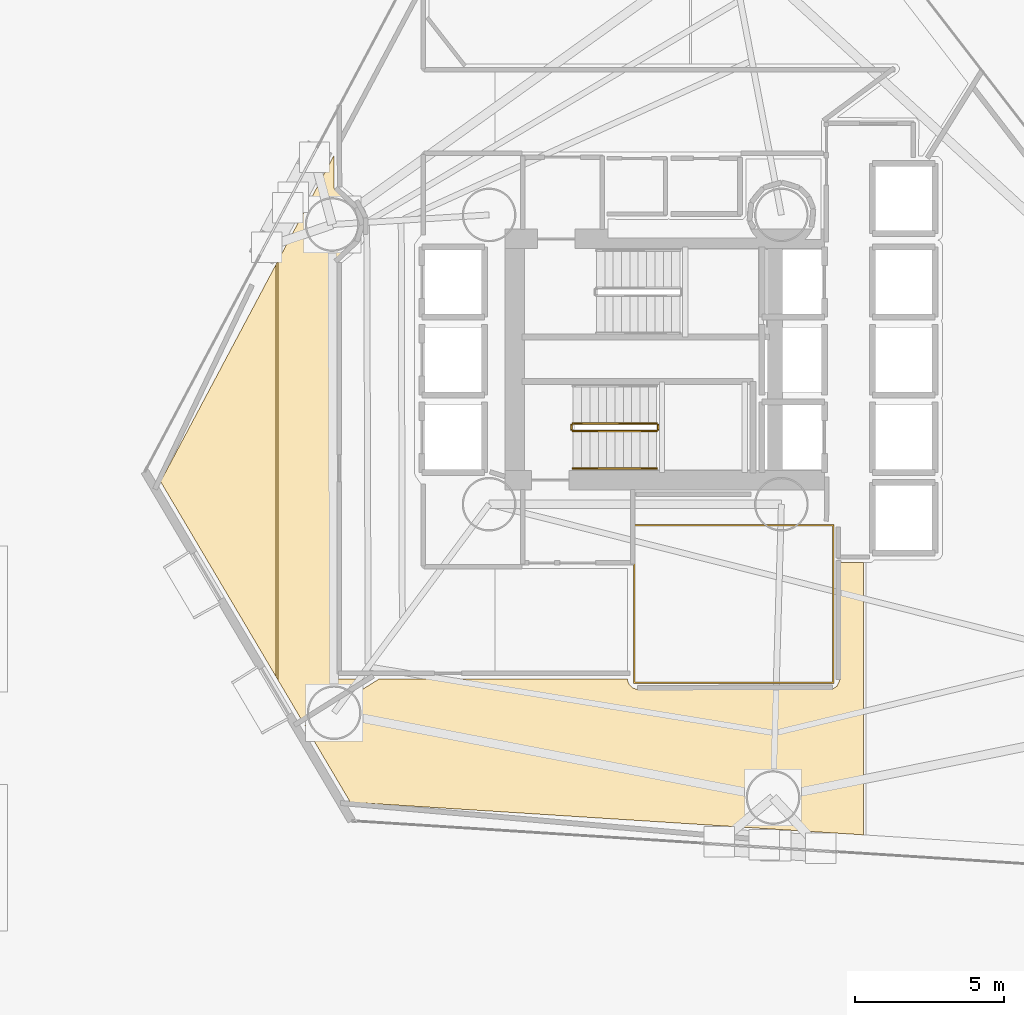
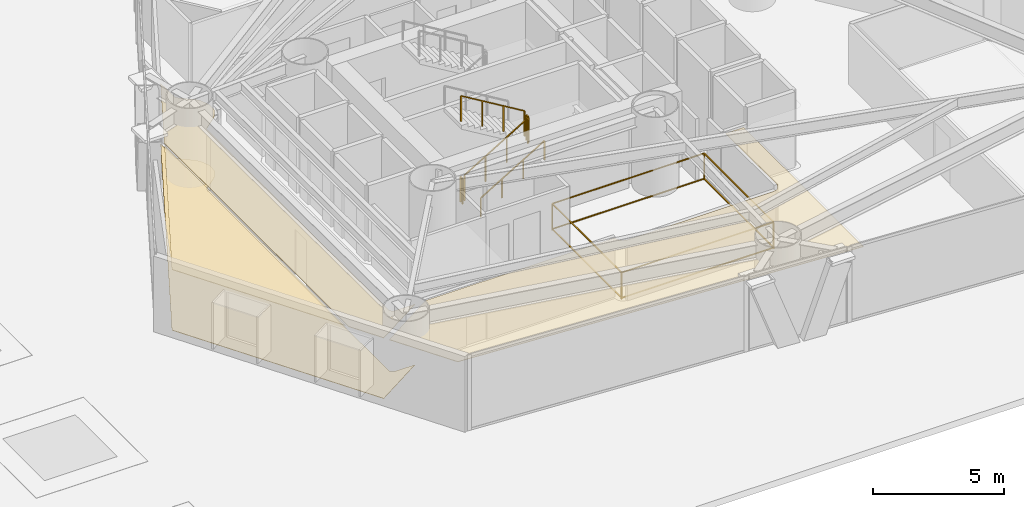
# One storey, part 19 of 22: 6 railings, 4 coverings.
"""IFC4 building model written with IfcOpenShell, lengths in metres."""

import ifcopenshell
import ifcopenshell.guid

model = None  # the IFC model being written
_history = None  # IfcOwnerHistory: only IFC2X3 demands one
_inside = {}  # id of a spatial element -> (the spatial element, [elements in it])
_under = {}  # id of a project, library or spatial element -> (it, [spatial elements below it])
_declared = {}  # id of a project -> (the project, [libraries it declares])
_typed = {}  # id of a type object -> (the type object, [elements of that type])
_made_of = {}  # id of a material, layer set ... -> (it, [elements and type objects made of it])


def new_model(schema):
    """Start an empty IFC model of exactly this schema.

    Asked for "IFC4X3", IfcOpenShell would pick the latest addendum, in which some entities
    have other attributes; the version numbers below select the first issue.
    IFC2X3 requires an IfcOwnerHistory on every rooted entity: one is made here for all.
    """
    global model, _history
    if schema == "IFC4X3":
        model = ifcopenshell.file(schema_version=(4, 3, 0, 0))
    else:
        model = ifcopenshell.file(schema=schema)
    _inside.clear()
    _under.clear()
    _declared.clear()
    _typed.clear()
    _made_of.clear()
    _history = None
    if model.schema == "IFC2X3":
        org = make("IfcOrganization", Name="unknown")
        user = make(
            "IfcPersonAndOrganization",
            ThePerson=make("IfcPerson", FamilyName="unknown"),
            TheOrganization=org,
        )
        app = make(
            "IfcApplication",
            ApplicationDeveloper=org,
            Version="unknown",
            ApplicationFullName="unknown",
            ApplicationIdentifier="unknown",
        )
        _history = make(
            "IfcOwnerHistory",
            OwningUser=user,
            OwningApplication=app,
            ChangeAction="ADDED",
            CreationDate=0,
        )
    return model


def make(cls, **values):
    """One entity of the class cls with the attributes given. An attribute that is None is left unset."""
    return model.create_entity(
        cls, **{name: value for name, value in values.items() if value is not None}
    )


def rooted(cls, **values):
    """An entity with a GlobalId (a new one), such as an element, a storey or a relation."""
    return make(cls, GlobalId=ifcopenshell.guid.new(), OwnerHistory=_history, **values)


def si_unit(unit_type, name, prefix=None):
    """IfcSIUnit, for example si_unit("LENGTHUNIT", "METRE", prefix="MILLI")."""
    return make("IfcSIUnit", UnitType=unit_type, Prefix=prefix, Name=name)


def assignment(units):
    """IfcUnitAssignment: the units of a project."""
    return None if units is None else make("IfcUnitAssignment", Units=units)


def point(xyz):
    """IfcCartesianPoint."""
    return None if xyz is None else make("IfcCartesianPoint", Coordinates=xyz)


def direction(xyz):
    """IfcDirection."""
    return None if xyz is None else make("IfcDirection", DirectionRatios=xyz)


def frame(location, z_axis=None, x_axis=None):
    """IfcAxis2Placement3D, a coordinate frame: its origin and axes. An axis left out is left unset."""
    return make(
        "IfcAxis2Placement3D",
        Location=point(location),
        Axis=direction(z_axis),
        RefDirection=direction(x_axis),
    )


def frame_2d(location, x_axis=None):
    """IfcAxis2Placement2D, a coordinate frame in the plane: its origin and x axis."""
    return make(
        "IfcAxis2Placement2D", Location=point(location), RefDirection=direction(x_axis)
    )


def origin():
    """The frame at (0, 0, 0) with its axes left unset."""
    return frame((0.0, 0.0, 0.0))


def origin_2d():
    """The frame at (0, 0) in the plane with its x axis left unset."""
    return frame_2d((0.0, 0.0))


def place(relative_to, where):
    """IfcLocalPlacement: puts the frame where relative to a parent placement (None: the world)."""
    return make(
        "IfcLocalPlacement", PlacementRelTo=relative_to, RelativePlacement=where
    )


def context(
    kind, dimensions, precision=None, world=None, true_north=None, identifier=None
):
    """IfcGeometricRepresentationContext, for example the 3D "Model" context."""
    return make(
        "IfcGeometricRepresentationContext",
        ContextIdentifier=identifier,
        ContextType=kind,
        CoordinateSpaceDimension=dimensions,
        Precision=precision,
        WorldCoordinateSystem=world,
        TrueNorth=true_north,
    )


def subcontext(parent, identifier, kind, view, scale=None):
    """IfcGeometricRepresentationSubContext, for example "Body" below "Model"."""
    return make(
        "IfcGeometricRepresentationSubContext",
        ContextIdentifier=identifier,
        ContextType=kind,
        ParentContext=parent,
        TargetScale=scale,
        TargetView=view,
    )


def project(units=None, contexts=None):
    """IfcProject with its units and contexts."""
    return rooted(
        "IfcProject",
        Name="project",
        RepresentationContexts=contexts,
        UnitsInContext=assignment(units),
    )


def spatial(cls, under=None, at=None, **own):
    """A site, building, storey or space (cls), placed at a placement, below another one or the project."""
    s = rooted(cls, ObjectPlacement=at, **own)
    if under is not None:
        _under.setdefault(under.id(), (under, []))[1].append(s)
    return s


def polyline(points):
    """IfcPolyline through the points."""
    return make("IfcPolyline", Points=[point(p) for p in points])


def profile(cls, at=None, kind="AREA", **sizes):
    """A parametric profile (cls). Its sizes go by their IFC names, for example OverallWidth=200.0."""
    return make(cls, ProfileType=kind, Position=at, **sizes)


def rectangle(**sizes):
    """IfcRectangleProfileDef."""
    return profile("IfcRectangleProfileDef", **sizes)


def outline(outer, holes=None, kind="AREA"):
    """IfcArbitraryClosedProfileDef: a profile drawn as a closed curve; with holes, ...WithVoids."""
    if holes is None:
        return make("IfcArbitraryClosedProfileDef", ProfileType=kind, OuterCurve=outer)
    return make(
        "IfcArbitraryProfileDefWithVoids",
        ProfileType=kind,
        OuterCurve=outer,
        InnerCurves=holes,
    )


def extrude(swept, where, along, depth):
    """IfcExtrudedAreaSolid: the profile swept, set in the frame where, extruded along a direction by depth."""
    return make(
        "IfcExtrudedAreaSolid",
        SweptArea=swept,
        Position=where,
        ExtrudedDirection=direction(along),
        Depth=depth,
    )


def shape(context_of_items, identifier, shape_type, items):
    """IfcShapeRepresentation: the items that make up one representation, for example the "Body"."""
    return make(
        "IfcShapeRepresentation",
        ContextOfItems=context_of_items,
        RepresentationIdentifier=identifier,
        RepresentationType=shape_type,
        Items=items,
    )


def material(Name=None, Category=None):
    """IfcMaterial."""
    return make("IfcMaterial", Name=Name, Category=Category)


def layer(
    of_material, thickness, ventilated=None, Name=None, Category=None, Priority=None
):
    """IfcMaterialLayer: one layer of a wall or slab, of a material (None: an air gap)."""
    return make(
        "IfcMaterialLayer",
        Material=of_material,
        LayerThickness=thickness,
        IsVentilated=ventilated,
        Name=Name,
        Category=Category,
        Priority=Priority,
    )


def layer_set(layers, Name=None):
    """IfcMaterialLayerSet."""
    return make("IfcMaterialLayerSet", MaterialLayers=layers, LayerSetName=Name)


def made_of(thing, what):
    """Note that an element or type object is made of a material, layer set ...; save() writes the relation."""
    if what is not None:
        _made_of.setdefault(what.id(), (what, []))[1].append(thing)
    return thing


def type_object(cls, material=None, **own):
    """A type object (cls), such as IfcWallType, which elements share."""
    return made_of(rooted(cls, **own), material)


def element(
    cls,
    number,
    at=None,
    inside=None,
    cuts=None,
    type_object=None,
    material=None,
    context=None,
    identifier="Body",
    shape_type=None,
    held_by="IfcProductDefinitionShape",
    body=None,
    shapes=None,
    **own,
):
    """One element of the class cls, such as IfcWall. Its Tag is "e" and its number.

    at: its placement. inside: the storey or other place that contains it. cuts: it is an
    opening in that element (IfcRelVoidsElement). A single representation is given by context,
    identifier, shape_type and body (its items); several are given by shapes. held_by: the class
    of the entity that holds the representations. save() writes the other relations.
    """
    e = rooted(cls, Tag="e%d" % number, ObjectPlacement=at, **own)
    if body is not None:
        shapes = [shape(context, identifier, shape_type, body)]
    if shapes is not None:
        e.Representation = make(held_by, Representations=shapes)
    if inside is not None:
        _inside.setdefault(inside.id(), (inside, []))[1].append(e)
    if cuts is not None:
        rooted(
            "IfcRelVoidsElement", RelatingBuildingElement=cuts, RelatedOpeningElement=e
        )
    if type_object is not None:
        _typed.setdefault(type_object.id(), (type_object, []))[1].append(e)
    return made_of(e, material)


def aggregate(whole, parts):
    """IfcRelAggregates: a whole, such as a stair, and the parts it consists of."""
    return rooted("IfcRelAggregates", RelatingObject=whole, RelatedObjects=parts)


def save(model, path):
    """Write the relations noted so far, then the file.

    IfcRelAggregates (storeys below a building ...), IfcRelContainedInSpatialStructure (elements
    in a storey), IfcRelDefinesByType, IfcRelAssociatesMaterial and IfcRelDeclares: one each for
    every whole, place, type object, material and project.
    """
    for whole, parts in _under.values():
        aggregate(whole, parts)
    for where, things in _inside.values():
        rooted(
            "IfcRelContainedInSpatialStructure",
            RelatedElements=things,
            RelatingStructure=where,
        )
    for kind, things in _typed.values():
        rooted("IfcRelDefinesByType", RelatedObjects=things, RelatingType=kind)
    for what, things in _made_of.values():
        rooted("IfcRelAssociatesMaterial", RelatedObjects=things, RelatingMaterial=what)
    for by, libraries in _declared.values():
        rooted("IfcRelDeclares", RelatingContext=by, RelatedDefinitions=libraries)
    model.write(path)


model = new_model("IFC4")

# Units and contexts
model_context = context("Model", 3, precision=1e-05, world=origin(), true_north=direction((0.0, 1.0)))
body_context = subcontext(model_context, "Body", "Model", "MODEL_VIEW")
ifc_project = project(units=[si_unit("LENGTHUNIT", "METRE"), si_unit("AREAUNIT", "SQUARE_METRE"), si_unit("VOLUMEUNIT", "CUBIC_METRE"), si_unit("PLANEANGLEUNIT", "RADIAN"), si_unit("MASSUNIT", "GRAM", prefix="KILO")], contexts=[model_context])

# Site, building, storey
site_placement = place(None, origin())
site = spatial("IfcSite", under=ifc_project, at=site_placement, CompositionType="ELEMENT")
building_placement = place(site_placement, origin())
building = spatial("IfcBuilding", under=site, at=building_placement, Name="Qianvela Tower", CompositionType="ELEMENT")
storey_placement = place(building_placement, frame((0.0, 0.0, 25.699951171875)))
storey = spatial("IfcBuildingStorey", under=building, at=storey_placement, Name="L05", CompositionType="ELEMENT", Elevation=25.699951171875)

# Coverings
ifc_material_1 = material(Name="Perforated Mineral Acoustic Ceiling Tile")
ifc_layer_1 = layer(ifc_material_1, 0.02490234375)
ifc_layer_set_1 = layer_set([ifc_layer_1], Name="Perforated Mineral Acoustic Ceiling Tile")
covering_type_1 = type_object("IfcCoveringType", Name="COV-CEIL-ACOUSTIC-25", PredefinedType="CEILING", material=ifc_layer_set_1)
covering_1_placement = place(storey_placement, frame((0.0, 0.0, 2.81494140625)))
element("IfcCovering", 1, at=covering_1_placement, inside=storey, type_object=covering_type_1, Name="L05 Acoustic Ceiling Bay 1 Social Galley Kitchen L05-01", PredefinedType="CEILING", context=body_context, shape_type="SweptSolid", body=[
    extrude(outline(polyline([(17.58544921875, 24.6103515625), (21.44775390625, 31.874267578125), (21.44775390625, 18.083251953125), (17.58544921875, 24.6103515625)])), origin(), (0.0, 0.0, 1.0), 0.025146484375),
])
covering_2_placement = place(storey_placement, frame((0.0, 0.0, 2.81494140625)))
element("IfcCovering", 2, at=covering_2_placement, inside=storey, type_object=covering_type_1, Name="L05 Acoustic Ceiling Bay 2 Social Galley Kitchen L05-01", PredefinedType="CEILING", context=body_context, shape_type="SweptSolid", body=[
    extrude(outline(polyline([(23.399169921875, 34.46728515625), (23.399658203125, 34.459716796875), (23.400634765625, 34.4521484375), (23.402587890625, 34.44482421875), (23.405029296875, 34.4375), (23.408203125, 34.4306640625), (23.412109375, 34.424072265625), (23.416748046875, 34.41796875), (23.421875, 34.412109375), (23.42724609375, 34.406982421875), (24.015869140625, 33.90673828125), (24.133056640625, 33.763916015625), (24.279296875, 33.4111328125), (24.297119140625, 33.22802734375), (24.269287109375, 32.945556640625), (24.135498046875, 32.695068359375), (24.016357421875, 32.5498046875), (23.448486328125, 32.083740234375), (23.442626953125, 32.07861328125), (23.4375, 32.07275390625), (23.4326171875, 32.06640625), (23.4287109375, 32.0595703125), (23.39990234375, 32.005615234375), (23.396484375, 31.99853515625), (23.393798828125, 31.9912109375), (23.391845703125, 31.9833984375), (23.390869140625, 31.975830078125), (23.390380859375, 31.968017578125), (23.390380859375, 18.14208984375), (23.390869140625, 18.13427734375), (23.391845703125, 18.126708984375), (23.393798828125, 18.118896484375), (23.396484375, 18.111572265625), (23.39990234375, 18.1044921875), (23.40380859375, 18.09765625), (23.408447265625, 18.09130859375), (23.413818359375, 18.085693359375), (23.485595703125, 18.013916015625), (23.491455078125, 18.008544921875), (23.497802734375, 18.00390625), (23.50439453125, 17.999755859375), (23.511474609375, 17.99658203125), (23.518798828125, 17.993896484375), (23.526611328125, 17.991943359375), (23.5341796875, 17.99072265625), (23.5419921875, 17.990478515625), (24.451171875, 17.989990234375), (22.298828125, 16.64501953125), (21.52783203125, 17.947998046875), (21.52783203125, 32.024658203125), (23.392578125, 35.53173828125), (23.399169921875, 34.46728515625)])), origin(), (0.0, 0.0, 1.0), 0.025146484375),
])
covering_3_placement = place(storey_placement, frame((0.0, 0.0, 2.81494140625)))
element("IfcCovering", 3, at=covering_3_placement, inside=storey, type_object=covering_type_1, Name="L05 Acoustic Ceiling Bay 1 Shared Communal Kitchen L05-02", PredefinedType="CEILING", context=body_context, shape_type="SweptSolid", body=[
    extrude(outline(polyline([(40.13037109375, 17.664794921875), (40.1376953125, 17.66748046875), (40.14501953125, 17.6708984375), (40.151611328125, 17.6748046875), (40.242431640625, 17.735595703125), (40.249267578125, 17.74072265625), (40.255615234375, 17.74658203125), (40.26123046875, 17.753173828125), (40.26611328125, 17.76025390625), (40.270263671875, 17.767822265625), (40.35107421875, 17.9384765625), (40.354248046875, 17.946533203125), (40.356689453125, 17.955078125), (40.358154296875, 17.963623046875), (40.358642578125, 17.972412109375), (40.360107421875, 21.889892578125), (41.150390625, 21.890380859375), (41.150390625, 12.764892578125), (23.946044921875, 13.861328125), (22.423095703125, 16.43505859375), (24.91162109375, 17.989990234375), (33.243408203125, 17.989990234375), (33.24560546875, 17.94189453125), (33.24609375, 17.93505859375), (33.247314453125, 17.927978515625), (33.2490234375, 17.92138671875), (33.25146484375, 17.914794921875), (33.293212890625, 17.813720703125), (33.296630859375, 17.806640625), (33.30078125, 17.800048828125), (33.305419921875, 17.793701171875), (33.310546875, 17.787841796875), (33.387939453125, 17.710693359375), (33.39306640625, 17.705810546875), (33.398681640625, 17.70166015625), (33.40478515625, 17.69775390625), (33.410888671875, 17.694580078125), (33.41748046875, 17.69189453125), (33.545654296875, 17.64599609375), (33.554443359375, 17.643310546875), (33.5634765625, 17.641845703125), (33.572509765625, 17.641357421875), (40.0, 17.639892578125), (40.0078125, 17.640380859375), (40.015625, 17.6416015625), (40.122802734375, 17.662841796875), (40.13037109375, 17.664794921875)])), origin(), (0.0, 0.0, 1.0), 0.025146484375),
])
ifc_material_2 = material(Name="Engineered Acoustic Oak Timber Flooring", Category="wood")
ifc_layer_2 = layer(ifc_material_2, 0.02001953125)
ifc_layer_set_2 = layer_set([ifc_layer_2], Name="Engineered Acoustic Oak Timber Flooring")
covering_type_2 = type_object("IfcCoveringType", Name="COV-FLOOR-OAK-20", PredefinedType="FLOORING", material=ifc_layer_set_2)
covering_4_placement = place(storey_placement, origin())
element("IfcCovering", 4, at=covering_4_placement, inside=storey, type_object=covering_type_2, Name="L05 Finish Flooring Social Galley Kitchen L05-01", PredefinedType="FLOORING", context=body_context, shape_type="SweptSolid", body=[
    extrude(outline(polyline([(23.392578125, 35.53173828125), (23.399169921875, 34.46728515625), (23.399658203125, 34.459716796875), (23.400634765625, 34.4521484375), (23.402587890625, 34.44482421875), (23.405029296875, 34.4375), (23.408203125, 34.4306640625), (23.412109375, 34.424072265625), (23.416748046875, 34.41796875), (23.421875, 34.412109375), (23.42724609375, 34.406982421875), (24.015869140625, 33.90673828125), (24.133056640625, 33.763916015625), (24.279296875, 33.4111328125), (24.297119140625, 33.22802734375), (24.269287109375, 32.945556640625), (24.135498046875, 32.695068359375), (24.016357421875, 32.5498046875), (23.448486328125, 32.083740234375), (23.442626953125, 32.07861328125), (23.4375, 32.07275390625), (23.4326171875, 32.06640625), (23.4287109375, 32.0595703125), (23.39990234375, 32.005615234375), (23.396484375, 31.99853515625), (23.393798828125, 31.9912109375), (23.391845703125, 31.9833984375), (23.390869140625, 31.975830078125), (23.390380859375, 31.968017578125), (23.390380859375, 18.14208984375), (23.390869140625, 18.13427734375), (23.391845703125, 18.126708984375), (23.393798828125, 18.118896484375), (23.396484375, 18.111572265625), (23.39990234375, 18.1044921875), (23.40380859375, 18.09765625), (23.408447265625, 18.09130859375), (23.413818359375, 18.085693359375), (23.485595703125, 18.013916015625), (23.491455078125, 18.008544921875), (23.497802734375, 18.00390625), (23.50439453125, 17.999755859375), (23.511474609375, 17.99658203125), (23.518798828125, 17.993896484375), (23.526611328125, 17.991943359375), (23.5341796875, 17.99072265625), (23.5419921875, 17.990478515625), (24.451171875, 17.989990234375), (22.298828125, 16.64501953125), (17.58544921875, 24.6103515625), (23.392578125, 35.53173828125)])), origin(), (0.0, 0.0, 1.0), 0.02001953125),
])

# Railings
ifc_material_3 = material(Name="Laminated Safety Glass and Stainless Steel 316", Category="steel")
railing_type_1 = type_object("IfcRailingType", Name="RL-ATRIUM-GUARD-1250", PredefinedType="GUARDRAIL", material=ifc_material_3)
railing_1_placement = place(storey_placement, frame((33.4599609375, 17.860107421875, 0.0)))
element("IfcRailing", 5, at=railing_1_placement, inside=storey, type_object=railing_type_1, Name="L05 Atrium Edge Guardrail 1", PredefinedType="GUARDRAIL", context=body_context, shape_type="SweptSolid", body=[
    extrude(rectangle(XDim=0.050048828125, YDim=0.0400390625, at=origin_2d()), frame((0.0, 0.0, 1.22998046875), z_axis=(0.0, 1.0, 0.0), x_axis=(-1.0, 0.0, 0.0)), (0.0, 0.0, 1.0), 5.27978515625),
    extrude(rectangle(XDim=0.050048828125, YDim=0.0400390625, at=origin_2d()), frame((0.0, 0.0, 0.050048828125), z_axis=(0.0, 1.0, 0.0), x_axis=(-1.0, 0.0, 0.0)), (0.0, 0.0, 1.0), 5.27978515625),
    extrude(rectangle(XDim=0.050048828125, YDim=0.0400390625, at=origin_2d()), frame((0.0, 5.27978515625, 1.22998046875), z_axis=(1.0, 0.0, 0.0), x_axis=(0.0, 1.0, 0.0)), (0.0, 0.0, 1.0), 6.679931640625),
    extrude(rectangle(XDim=0.050048828125, YDim=0.0400390625, at=origin_2d()), frame((0.0, 5.27978515625, 0.050048828125), z_axis=(1.0, 0.0, 0.0), x_axis=(0.0, 1.0, 0.0)), (0.0, 0.0, 1.0), 6.679931640625),
    extrude(rectangle(XDim=0.050048828125, YDim=0.0400390625, at=origin_2d()), frame((6.679931640625, 5.27978515625, 1.22998046875), z_axis=(0.0, -1.0, 0.0), x_axis=(1.0, 0.0, 0.0)), (0.0, 0.0, 1.0), 5.27978515625),
    extrude(rectangle(XDim=0.050048828125, YDim=0.0400390625, at=origin_2d()), frame((6.679931640625, 5.27978515625, 0.050048828125), z_axis=(0.0, -1.0, 0.0), x_axis=(1.0, 0.0, 0.0)), (0.0, 0.0, 1.0), 5.27978515625),
    extrude(rectangle(XDim=0.050048828125, YDim=0.0400390625, at=origin_2d()), frame((6.679931640625, 0.0, 1.22998046875), z_axis=(-1.0, 0.0, 0.0), x_axis=(0.0, -1.0, 0.0)), (0.0, 0.0, 1.0), 6.679931640625),
    extrude(rectangle(XDim=0.050048828125, YDim=0.0400390625, at=origin_2d()), frame((6.679931640625, 0.0, 0.050048828125), z_axis=(-1.0, 0.0, 0.0), x_axis=(0.0, -1.0, 0.0)), (0.0, 0.0, 1.0), 6.679931640625),
    extrude(rectangle(XDim=0.050048828125, YDim=0.050048828125, at=origin_2d()), origin(), (0.0, 0.0, 1.0), 1.2099609375),
    extrude(rectangle(XDim=0.050048828125, YDim=0.050048828125, at=origin_2d()), frame((0.0, 5.27978515625, 0.0)), (0.0, 0.0, 1.0), 1.2099609375),
    extrude(rectangle(XDim=0.050048828125, YDim=0.050048828125, at=origin_2d()), frame((6.679931640625, 5.27978515625, 0.0)), (0.0, 0.0, 1.0), 1.2099609375),
    extrude(rectangle(XDim=0.050048828125, YDim=0.050048828125, at=origin_2d()), frame((6.679931640625, 0.0, 0.0)), (0.0, 0.0, 1.0), 1.2099609375),
])
ifc_material_4 = material(Name="Painted Tubular Steel Q355B", Category="steel")
railing_type_2 = type_object("IfcRailingType", Name="RL-STAIR-GUARD-1200", PredefinedType="GUARDRAIL", material=ifc_material_4)
railing_2_placement = place(storey_placement, frame((31.419921875, 26.300048828125, 0.168212890625)))
element("IfcRailing", 6, at=railing_2_placement, inside=storey, type_object=railing_type_2, Name="L05 ST-2 stair guard 1", PredefinedType="GUARDRAIL", context=body_context, shape_type="SweptSolid", body=[
    extrude(rectangle(XDim=0.050048828125, YDim=0.0400390625, at=origin_2d()), frame((0.0, 0.0, 1.179931640625), z_axis=(0.857242210791, 0.0, 0.514913383045), x_axis=(0.0, 1.0, 0.0)), (0.0, 0.0, 1.0), 3.266357421875),
    extrude(rectangle(XDim=0.050048828125, YDim=0.050048828125, at=origin_2d()), origin(), (0.0, 0.0, 1.0), 1.159912109375),
    extrude(rectangle(XDim=0.050048828125, YDim=0.050048828125, at=origin_2d()), frame((0.933349609375, 0.0, 0.560546875)), (0.0, 0.0, 1.0), 1.159912109375),
    extrude(rectangle(XDim=0.050048828125, YDim=0.050048828125, at=origin_2d()), frame((1.86669921875, 0.0, 1.121337890625)), (0.0, 0.0, 1.0), 1.159912109375),
    extrude(rectangle(XDim=0.050048828125, YDim=0.050048828125, at=origin_2d()), frame((2.800048828125, 0.0, 1.681884765625)), (0.0, 0.0, 1.0), 1.159912109375),
])
railing_3_placement = place(storey_placement, frame((34.27001953125, 26.35009765625, 1.85009765625)))
element("IfcRailing", 7, at=railing_3_placement, inside=storey, type_object=railing_type_2, Name="L05 ST-2 stair guard 2", PredefinedType="GUARDRAIL", context=body_context, shape_type="SweptSolid", body=[
    extrude(rectangle(XDim=0.050048828125, YDim=0.0400390625, at=origin_2d()), frame((0.0, 0.0, 1.179931640625), z_axis=(0.0, 1.0, 0.0), x_axis=(-1.0, 0.0, 0.0)), (0.0, 0.0, 1.0), 0.159912109375),
    extrude(rectangle(XDim=0.050048828125, YDim=0.050048828125, at=origin_2d()), origin(), (0.0, 0.0, 1.0), 1.159912109375),
    extrude(rectangle(XDim=0.050048828125, YDim=0.050048828125, at=origin_2d()), frame((0.0, 0.159912109375, 0.0)), (0.0, 0.0, 1.0), 1.159912109375),
])
railing_4_placement = place(storey_placement, frame((34.219970703125, 26.56005859375, 2.018310546875)))
element("IfcRailing", 8, at=railing_4_placement, inside=storey, type_object=railing_type_2, Name="L05 ST-2 stair guard 3", PredefinedType="GUARDRAIL", context=body_context, shape_type="SweptSolid", body=[
    extrude(rectangle(XDim=0.050048828125, YDim=0.0400390625, at=origin_2d()), frame((0.0, 0.0, 1.179931640625), z_axis=(-0.857275202839, 0.0, 0.514858452973), x_axis=(0.0, -1.0, 0.0)), (0.0, 0.0, 1.0), 3.26611328125),
    extrude(rectangle(XDim=0.050048828125, YDim=0.050048828125, at=origin_2d()), origin(), (0.0, 0.0, 1.0), 1.159912109375),
    extrude(rectangle(XDim=0.050048828125, YDim=0.050048828125, at=origin_2d()), frame((-0.933349609375, 0.0, 0.560546875)), (0.0, 0.0, 1.0), 1.159912109375),
    extrude(rectangle(XDim=0.050048828125, YDim=0.050048828125, at=origin_2d()), frame((-1.86669921875, 0.0, 1.12109375)), (0.0, 0.0, 1.0), 1.159912109375),
    extrude(rectangle(XDim=0.050048828125, YDim=0.050048828125, at=origin_2d()), frame((-2.800048828125, 0.0, 1.681640625)), (0.0, 0.0, 1.0), 1.159912109375),
])
railing_5_placement = place(storey_placement, frame((31.3701171875, 26.35009765625, 0.0)))
element("IfcRailing", 9, at=railing_5_placement, inside=storey, type_object=railing_type_2, Name="L05 ST-2 stair guard 4", PredefinedType="GUARDRAIL", context=body_context, shape_type="SweptSolid", body=[
    extrude(rectangle(XDim=0.050048828125, YDim=0.0400390625, at=origin_2d()), frame((0.0, 0.0, 1.179931640625), z_axis=(0.0, 1.0, 0.0), x_axis=(-1.0, 0.0, 0.0)), (0.0, 0.0, 1.0), 0.159912109375),
    extrude(rectangle(XDim=0.050048828125, YDim=0.050048828125, at=origin_2d()), origin(), (0.0, 0.0, 1.0), 1.159912109375),
    extrude(rectangle(XDim=0.050048828125, YDim=0.050048828125, at=origin_2d()), frame((0.0, 0.159912109375, 0.0)), (0.0, 0.0, 1.0), 1.159912109375),
])
ifc_material_5 = material(Name="Brushed Stainless Steel 304", Category="steel")
railing_type_3 = type_object("IfcRailingType", Name="RL-STAIR-HANDRAIL-900", PredefinedType="HANDRAIL", material=ifc_material_5)
railing_6_placement = place(storey_placement, frame((31.419921875, 25.050048828125, 0.168212890625)))
element("IfcRailing", 10, at=railing_6_placement, inside=storey, type_object=railing_type_3, Name="L05 ST-2 stair handrail 1", PredefinedType="HANDRAIL", context=body_context, shape_type="SweptSolid", body=[
    extrude(rectangle(XDim=0.050048828125, YDim=0.0400390625, at=origin_2d()), frame((0.0, 0.0, 0.8798828125), z_axis=(0.857242210791, 0.0, 0.514913383045), x_axis=(0.0, 1.0, 0.0)), (0.0, 0.0, 1.0), 3.266357421875),
    extrude(rectangle(XDim=0.050048828125, YDim=0.050048828125, at=origin_2d()), origin(), (0.0, 0.0, 1.0), 0.85986328125),
    extrude(rectangle(XDim=0.050048828125, YDim=0.050048828125, at=origin_2d()), frame((0.933349609375, 0.0, 0.560546875)), (0.0, 0.0, 1.0), 0.85986328125),
    extrude(rectangle(XDim=0.050048828125, YDim=0.050048828125, at=origin_2d()), frame((1.86669921875, 0.0, 1.121337890625)), (0.0, 0.0, 1.0), 0.85986328125),
    extrude(rectangle(XDim=0.050048828125, YDim=0.050048828125, at=origin_2d()), frame((2.800048828125, 0.0, 1.681884765625)), (0.0, 0.0, 1.0), 0.85986328125),
])

save(model, "model.ifc")
